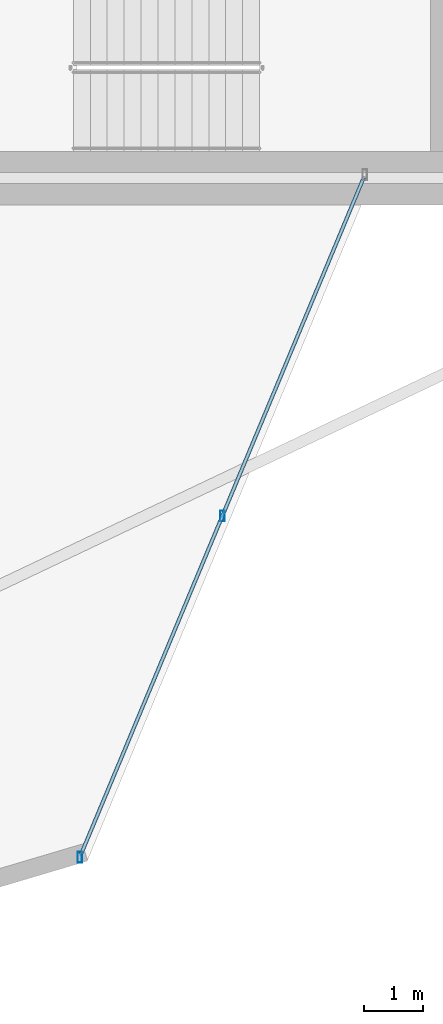
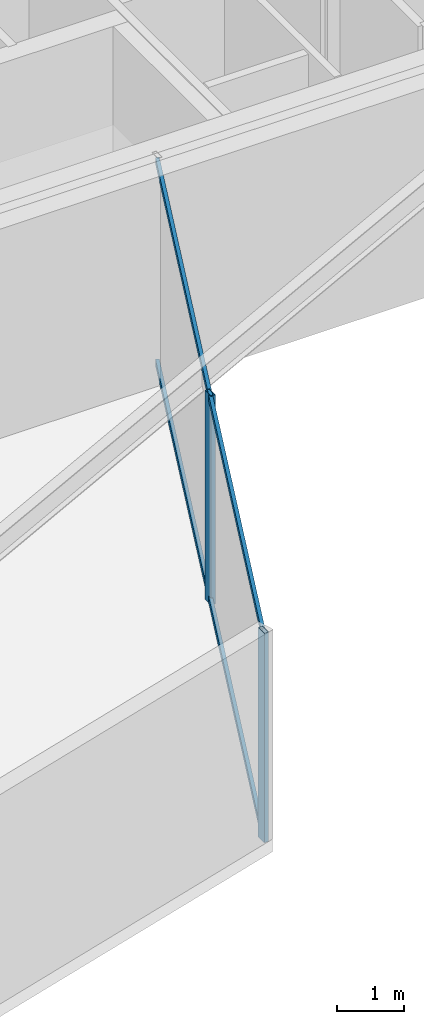
# One storey, part 10 of 25: 4 members, 1 element without a shape of its own.
"""IFC4 building model written with IfcOpenShell, lengths in metres."""

from ifc_helpers import new_model, si_unit, direction, frame, origin, origin_2d, place, context, subcontext, project, spatial, hollow_rectangle, extrude, material, layer, layer_set, material_profile, profile_set, type_object, element, aggregate, save


model = new_model("IFC4")

# Units and contexts
model_context = context("Model", 3, precision=1e-05, world=origin(), true_north=direction((0.0, 1.0)))
body_context = subcontext(model_context, "Body", "Model", "MODEL_VIEW")
ifc_project = project(units=[si_unit("LENGTHUNIT", "METRE"), si_unit("AREAUNIT", "SQUARE_METRE"), si_unit("VOLUMEUNIT", "CUBIC_METRE"), si_unit("PLANEANGLEUNIT", "RADIAN"), si_unit("MASSUNIT", "GRAM", prefix="KILO")], contexts=[model_context])

# Site, building, storey
site_placement = place(None, origin())
site = spatial("IfcSite", under=ifc_project, at=site_placement, CompositionType="ELEMENT")
building_placement = place(site_placement, origin())
building = spatial("IfcBuilding", under=site, at=building_placement, Name="Veymaron Broadcast Tower", CompositionType="ELEMENT")
storey_placement = place(building_placement, frame((0.0, 0.0, 74.25)))
storey = spatial("IfcBuildingStorey", under=building, at=storey_placement, Name="L16", CompositionType="ELEMENT", Elevation=74.25)

# Curtain wall, members
ifc_material_1 = material(Name="Anodised aluminium AA 6063-T6 and laminated low-E dark glass", Category="aluminium")
ifc_layer = layer(ifc_material_1, 0.179931640625)
ifc_layer_set = layer_set([ifc_layer], Name="Anodised aluminium AA 6063-T6 and laminated low-E dark glass")
curtain_wall_type = type_object("IfcCurtainWallType", Name="CW-SYS-02", PredefinedType="NOTDEFINED", material=ifc_layer_set)
curtain_wall_placement = place(storey_placement, origin())
curtain_wall = element("IfcCurtainWall", 1, at=curtain_wall_placement, inside=storey, type_object=curtain_wall_type, Name="L16 dark-glass curtain wall CW-L16-E20-1", PredefinedType="NOTDEFINED")
ifc_material_2 = material(Name="Anodised aluminium AA 6063-T6", Category="aluminium")
ifc_material_profile_1 = material_profile(ifc_material_2, hollow_rectangle(XDim=0.074951171875, YDim=0.179931640625, WallThickness=0.0048828125, at=origin_2d()), Name="AL180X75X5")
ifc_profile_set_1 = profile_set([ifc_material_profile_1], Name="Anodised aluminium AA 6063-T6")
member_type_1 = type_object("IfcMemberType", Name="CW-MUL-02", PredefinedType="MULLION", material=ifc_profile_set_1)
member_1_placement = place(storey_placement, frame((41.538818359375, 4.570068359375, 0.0), z_axis=(0.0, 0.0, 1.0), x_axis=(1.0, 0.0, 0.0)))
member_1 = element("IfcMember", 2, at=member_1_placement, type_object=member_type_1, Name="CW-L16-E20-1 mullion 0", PredefinedType="MULLION", context=body_context, shape_type="SweptSolid", body=[
    extrude(hollow_rectangle(XDim=0.074951171875, YDim=0.179931640625, WallThickness=0.0048828125, at=origin_2d()), origin(), (0.0, 0.0, 1.0), 3.81005859375),
])
member_2_placement = place(storey_placement, frame((43.937744140625, 10.31201171875, 0.0), z_axis=(0.0, 0.0, 1.0), x_axis=(1.0, 0.0, 0.0)))
member_2 = element("IfcMember", 3, at=member_2_placement, type_object=member_type_1, Name="CW-L16-E20-1 mullion 1", PredefinedType="MULLION", context=body_context, shape_type="SweptSolid", body=[
    extrude(hollow_rectangle(XDim=0.074951171875, YDim=0.179931640625, WallThickness=0.0048828125, at=origin_2d()), origin(), (0.0, 0.0, 1.0), 3.81005859375),
])
ifc_material_profile_2 = material_profile(ifc_material_2, hollow_rectangle(XDim=0.06005859375, YDim=0.1201171875, WallThickness=0.00390625, at=origin_2d()), Name="AL120X60X4")
ifc_profile_set_2 = profile_set([ifc_material_profile_2], Name="Anodised aluminium AA 6063-T6")
member_type_2 = type_object("IfcMemberType", Name="CW-TRN-02", PredefinedType="USERDEFINED", material=ifc_profile_set_2)
member_3_placement = place(storey_placement, frame((41.55810546875, 4.6162109375, 0.070068359375), z_axis=(0.385497017548, 0.922709081706, 0.0), x_axis=(-0.922709081706, 0.385497017548, 0.0)))
member_3 = element("IfcMember", 4, at=member_3_placement, type_object=member_type_2, Name="CW-L16-E20-1 transom B", ObjectType="TRANSOM", PredefinedType="USERDEFINED", context=body_context, shape_type="SweptSolid", body=[
    extrude(hollow_rectangle(XDim=0.06005859375, YDim=0.1201171875, WallThickness=0.00390625, at=origin_2d()), origin(), (0.0, 0.0, 1.0), 12.345703125),
])
member_4_placement = place(storey_placement, frame((41.55810546875, 4.6162109375, 3.739990234375), z_axis=(0.385497017548, 0.922709081706, 0.0), x_axis=(-0.922709081706, 0.385497017548, 0.0)))
member_4 = element("IfcMember", 5, at=member_4_placement, type_object=member_type_2, Name="CW-L16-E20-1 transom T", ObjectType="TRANSOM", PredefinedType="USERDEFINED", context=body_context, shape_type="SweptSolid", body=[
    extrude(hollow_rectangle(XDim=0.06005859375, YDim=0.1201171875, WallThickness=0.00390625, at=origin_2d()), origin(), (0.0, 0.0, 1.0), 12.345703125),
])
aggregate(curtain_wall, [member_1, member_2, member_3, member_4])

save(model, "model.ifc")
